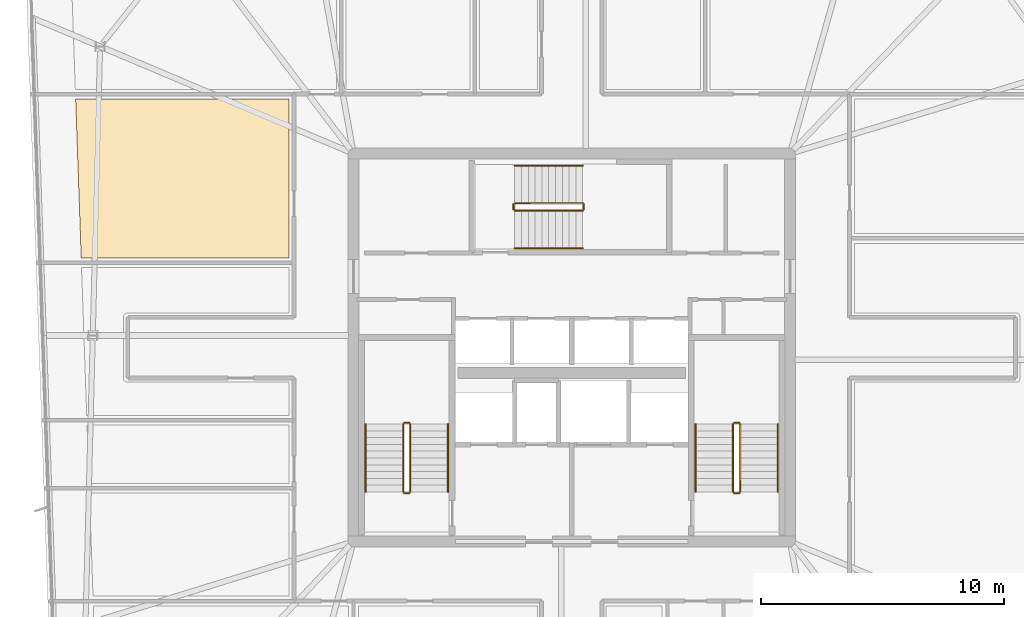
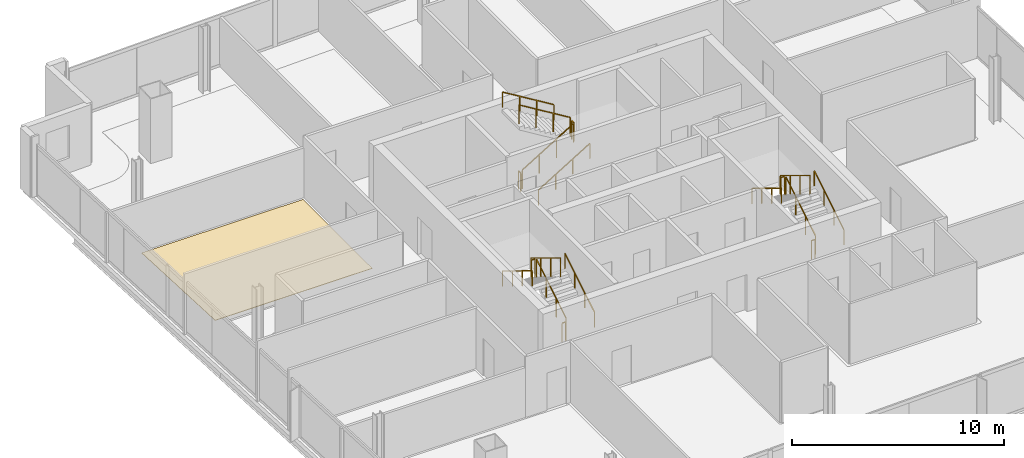
# One storey, part 22 of 23: 18 railings, 1 covering.
"""IFC4 building model written with IfcOpenShell, lengths in metres."""

import ifcopenshell
import ifcopenshell.guid

model = None  # the IFC model being written
_history = None  # IfcOwnerHistory: only IFC2X3 demands one
_inside = {}  # id of a spatial element -> (the spatial element, [elements in it])
_under = {}  # id of a project, library or spatial element -> (it, [spatial elements below it])
_declared = {}  # id of a project -> (the project, [libraries it declares])
_typed = {}  # id of a type object -> (the type object, [elements of that type])
_made_of = {}  # id of a material, layer set ... -> (it, [elements and type objects made of it])


def new_model(schema):
    """Start an empty IFC model of exactly this schema.

    Asked for "IFC4X3", IfcOpenShell would pick the latest addendum, in which some entities
    have other attributes; the version numbers below select the first issue.
    IFC2X3 requires an IfcOwnerHistory on every rooted entity: one is made here for all.
    """
    global model, _history
    if schema == "IFC4X3":
        model = ifcopenshell.file(schema_version=(4, 3, 0, 0))
    else:
        model = ifcopenshell.file(schema=schema)
    _inside.clear()
    _under.clear()
    _declared.clear()
    _typed.clear()
    _made_of.clear()
    _history = None
    if model.schema == "IFC2X3":
        org = make("IfcOrganization", Name="unknown")
        user = make(
            "IfcPersonAndOrganization",
            ThePerson=make("IfcPerson", FamilyName="unknown"),
            TheOrganization=org,
        )
        app = make(
            "IfcApplication",
            ApplicationDeveloper=org,
            Version="unknown",
            ApplicationFullName="unknown",
            ApplicationIdentifier="unknown",
        )
        _history = make(
            "IfcOwnerHistory",
            OwningUser=user,
            OwningApplication=app,
            ChangeAction="ADDED",
            CreationDate=0,
        )
    return model


def make(cls, **values):
    """One entity of the class cls with the attributes given. An attribute that is None is left unset."""
    return model.create_entity(
        cls, **{name: value for name, value in values.items() if value is not None}
    )


def rooted(cls, **values):
    """An entity with a GlobalId (a new one), such as an element, a storey or a relation."""
    return make(cls, GlobalId=ifcopenshell.guid.new(), OwnerHistory=_history, **values)


def si_unit(unit_type, name, prefix=None):
    """IfcSIUnit, for example si_unit("LENGTHUNIT", "METRE", prefix="MILLI")."""
    return make("IfcSIUnit", UnitType=unit_type, Prefix=prefix, Name=name)


def assignment(units):
    """IfcUnitAssignment: the units of a project."""
    return None if units is None else make("IfcUnitAssignment", Units=units)


def point(xyz):
    """IfcCartesianPoint."""
    return None if xyz is None else make("IfcCartesianPoint", Coordinates=xyz)


def direction(xyz):
    """IfcDirection."""
    return None if xyz is None else make("IfcDirection", DirectionRatios=xyz)


def frame(location, z_axis=None, x_axis=None):
    """IfcAxis2Placement3D, a coordinate frame: its origin and axes. An axis left out is left unset."""
    return make(
        "IfcAxis2Placement3D",
        Location=point(location),
        Axis=direction(z_axis),
        RefDirection=direction(x_axis),
    )


def frame_2d(location, x_axis=None):
    """IfcAxis2Placement2D, a coordinate frame in the plane: its origin and x axis."""
    return make(
        "IfcAxis2Placement2D", Location=point(location), RefDirection=direction(x_axis)
    )


def origin():
    """The frame at (0, 0, 0) with its axes left unset."""
    return frame((0.0, 0.0, 0.0))


def origin_2d():
    """The frame at (0, 0) in the plane with its x axis left unset."""
    return frame_2d((0.0, 0.0))


def place(relative_to, where):
    """IfcLocalPlacement: puts the frame where relative to a parent placement (None: the world)."""
    return make(
        "IfcLocalPlacement", PlacementRelTo=relative_to, RelativePlacement=where
    )


def context(
    kind, dimensions, precision=None, world=None, true_north=None, identifier=None
):
    """IfcGeometricRepresentationContext, for example the 3D "Model" context."""
    return make(
        "IfcGeometricRepresentationContext",
        ContextIdentifier=identifier,
        ContextType=kind,
        CoordinateSpaceDimension=dimensions,
        Precision=precision,
        WorldCoordinateSystem=world,
        TrueNorth=true_north,
    )


def subcontext(parent, identifier, kind, view, scale=None):
    """IfcGeometricRepresentationSubContext, for example "Body" below "Model"."""
    return make(
        "IfcGeometricRepresentationSubContext",
        ContextIdentifier=identifier,
        ContextType=kind,
        ParentContext=parent,
        TargetScale=scale,
        TargetView=view,
    )


def project(units=None, contexts=None):
    """IfcProject with its units and contexts."""
    return rooted(
        "IfcProject",
        Name="project",
        RepresentationContexts=contexts,
        UnitsInContext=assignment(units),
    )


def spatial(cls, under=None, at=None, **own):
    """A site, building, storey or space (cls), placed at a placement, below another one or the project."""
    s = rooted(cls, ObjectPlacement=at, **own)
    if under is not None:
        _under.setdefault(under.id(), (under, []))[1].append(s)
    return s


def polyline(points):
    """IfcPolyline through the points."""
    return make("IfcPolyline", Points=[point(p) for p in points])


def profile(cls, at=None, kind="AREA", **sizes):
    """A parametric profile (cls). Its sizes go by their IFC names, for example OverallWidth=200.0."""
    return make(cls, ProfileType=kind, Position=at, **sizes)


def rectangle(**sizes):
    """IfcRectangleProfileDef."""
    return profile("IfcRectangleProfileDef", **sizes)


def outline(outer, holes=None, kind="AREA"):
    """IfcArbitraryClosedProfileDef: a profile drawn as a closed curve; with holes, ...WithVoids."""
    if holes is None:
        return make("IfcArbitraryClosedProfileDef", ProfileType=kind, OuterCurve=outer)
    return make(
        "IfcArbitraryProfileDefWithVoids",
        ProfileType=kind,
        OuterCurve=outer,
        InnerCurves=holes,
    )


def extrude(swept, where, along, depth):
    """IfcExtrudedAreaSolid: the profile swept, set in the frame where, extruded along a direction by depth."""
    return make(
        "IfcExtrudedAreaSolid",
        SweptArea=swept,
        Position=where,
        ExtrudedDirection=direction(along),
        Depth=depth,
    )


def shape(context_of_items, identifier, shape_type, items):
    """IfcShapeRepresentation: the items that make up one representation, for example the "Body"."""
    return make(
        "IfcShapeRepresentation",
        ContextOfItems=context_of_items,
        RepresentationIdentifier=identifier,
        RepresentationType=shape_type,
        Items=items,
    )


def material(Name=None, Category=None):
    """IfcMaterial."""
    return make("IfcMaterial", Name=Name, Category=Category)


def layer(
    of_material, thickness, ventilated=None, Name=None, Category=None, Priority=None
):
    """IfcMaterialLayer: one layer of a wall or slab, of a material (None: an air gap)."""
    return make(
        "IfcMaterialLayer",
        Material=of_material,
        LayerThickness=thickness,
        IsVentilated=ventilated,
        Name=Name,
        Category=Category,
        Priority=Priority,
    )


def layer_set(layers, Name=None):
    """IfcMaterialLayerSet."""
    return make("IfcMaterialLayerSet", MaterialLayers=layers, LayerSetName=Name)


def made_of(thing, what):
    """Note that an element or type object is made of a material, layer set ...; save() writes the relation."""
    if what is not None:
        _made_of.setdefault(what.id(), (what, []))[1].append(thing)
    return thing


def type_object(cls, material=None, **own):
    """A type object (cls), such as IfcWallType, which elements share."""
    return made_of(rooted(cls, **own), material)


def element(
    cls,
    number,
    at=None,
    inside=None,
    cuts=None,
    type_object=None,
    material=None,
    context=None,
    identifier="Body",
    shape_type=None,
    held_by="IfcProductDefinitionShape",
    body=None,
    shapes=None,
    **own,
):
    """One element of the class cls, such as IfcWall. Its Tag is "e" and its number.

    at: its placement. inside: the storey or other place that contains it. cuts: it is an
    opening in that element (IfcRelVoidsElement). A single representation is given by context,
    identifier, shape_type and body (its items); several are given by shapes. held_by: the class
    of the entity that holds the representations. save() writes the other relations.
    """
    e = rooted(cls, Tag="e%d" % number, ObjectPlacement=at, **own)
    if body is not None:
        shapes = [shape(context, identifier, shape_type, body)]
    if shapes is not None:
        e.Representation = make(held_by, Representations=shapes)
    if inside is not None:
        _inside.setdefault(inside.id(), (inside, []))[1].append(e)
    if cuts is not None:
        rooted(
            "IfcRelVoidsElement", RelatingBuildingElement=cuts, RelatedOpeningElement=e
        )
    if type_object is not None:
        _typed.setdefault(type_object.id(), (type_object, []))[1].append(e)
    return made_of(e, material)


def aggregate(whole, parts):
    """IfcRelAggregates: a whole, such as a stair, and the parts it consists of."""
    return rooted("IfcRelAggregates", RelatingObject=whole, RelatedObjects=parts)


def save(model, path):
    """Write the relations noted so far, then the file.

    IfcRelAggregates (storeys below a building ...), IfcRelContainedInSpatialStructure (elements
    in a storey), IfcRelDefinesByType, IfcRelAssociatesMaterial and IfcRelDeclares: one each for
    every whole, place, type object, material and project.
    """
    for whole, parts in _under.values():
        aggregate(whole, parts)
    for where, things in _inside.values():
        rooted(
            "IfcRelContainedInSpatialStructure",
            RelatedElements=things,
            RelatingStructure=where,
        )
    for kind, things in _typed.values():
        rooted("IfcRelDefinesByType", RelatedObjects=things, RelatingType=kind)
    for what, things in _made_of.values():
        rooted("IfcRelAssociatesMaterial", RelatedObjects=things, RelatingMaterial=what)
    for by, libraries in _declared.values():
        rooted("IfcRelDeclares", RelatingContext=by, RelatedDefinitions=libraries)
    model.write(path)


model = new_model("IFC4")

# Units and contexts
model_context = context("Model", 3, precision=1e-05, world=origin(), true_north=direction((0.0, 1.0)))
body_context = subcontext(model_context, "Body", "Model", "MODEL_VIEW")
ifc_project = project(units=[si_unit("LENGTHUNIT", "METRE"), si_unit("AREAUNIT", "SQUARE_METRE"), si_unit("VOLUMEUNIT", "CUBIC_METRE"), si_unit("PLANEANGLEUNIT", "RADIAN"), si_unit("MASSUNIT", "GRAM", prefix="KILO")], contexts=[model_context])

# Site, building, storey
site_placement = place(None, origin())
site = spatial("IfcSite", under=ifc_project, at=site_placement, CompositionType="ELEMENT")
building_placement = place(site_placement, origin())
building = spatial("IfcBuilding", under=site, at=building_placement, Name="Haldenkirk Collegiate Tower", CompositionType="ELEMENT")
storey_placement = place(building_placement, frame((0.0, 0.0, 336.449951171875)))
storey = spatial("IfcBuildingStorey", under=building, at=storey_placement, Name="L85", CompositionType="ELEMENT", Elevation=336.449951171875)

# Covering
ifc_material_1 = material(Name="Polished collegiate terrazzo", Category="concrete")
ifc_layer = layer(ifc_material_1, 0.02490234375)
ifc_layer_set = layer_set([ifc_layer], Name="Polished collegiate terrazzo")
covering_type = type_object("IfcCoveringType", Name="COV-FLOOR-TERRAZZO", PredefinedType="FLOORING", material=ifc_layer_set)
covering_placement = place(storey_placement, origin())
element("IfcCovering", 1, at=covering_placement, inside=storey, type_object=covering_type, Name="L85 academic room finish 10", PredefinedType="FLOORING", context=body_context, shape_type="SweptSolid", body=[
    extrude(outline(polyline([(15.5498046875, 36.25), (24.35009765625, 36.25), (24.35009765625, 29.699951171875), (15.778564453125, 29.699951171875), (15.5498046875, 36.25)])), origin(), (0.0, 0.0, 1.0), 0.025146484375),
])

# Railings
ifc_material_2 = material(Name="Painted architectural tubular steel", Category="steel")
railing_type_1 = type_object("IfcRailingType", Name="RLG-STAIR-GUARD-1100", PredefinedType="BALUSTRADE", material=ifc_material_2)
railing_1_placement = place(storey_placement, frame((29.35009765625, 20.050048828125, 0.17041015625)))
element("IfcRailing", 2, at=railing_1_placement, inside=storey, type_object=railing_type_1, Name="L85 ST-1 stair guard 1", PredefinedType="BALUSTRADE", context=body_context, shape_type="SweptSolid", body=[
    extrude(rectangle(XDim=0.048095703125, YDim=0.048095703125, at=origin_2d()), frame((0.0, 0.0, 1.076171875), z_axis=(0.0, 0.854169791009, 0.51999420009), x_axis=(-1.0, 0.0, 0.0)), (0.0, 0.0, 1.0), 3.278076171875),
    extrude(rectangle(XDim=0.0419921875, YDim=0.0419921875, at=origin_2d()), origin(), (0.0, 0.0, 1.0), 1.052001953125),
    extrude(rectangle(XDim=0.0419921875, YDim=0.0419921875, at=origin_2d()), frame((0.0, 0.933349609375, 0.568115234375)), (0.0, 0.0, 1.0), 1.052001953125),
    extrude(rectangle(XDim=0.0419921875, YDim=0.0419921875, at=origin_2d()), frame((0.0, 1.86669921875, 1.136474609375)), (0.0, 0.0, 1.0), 1.052001953125),
    extrude(rectangle(XDim=0.0419921875, YDim=0.0419921875, at=origin_2d()), frame((0.0, 2.800048828125, 1.70458984375)), (0.0, 0.0, 1.0), 1.052001953125),
])
railing_2_placement = place(storey_placement, frame((29.300048828125, 22.89990234375, 1.875)))
element("IfcRailing", 3, at=railing_2_placement, inside=storey, type_object=railing_type_1, Name="L85 ST-1 stair guard 2", PredefinedType="BALUSTRADE", context=body_context, shape_type="SweptSolid", body=[
    extrude(rectangle(XDim=0.048095703125, YDim=0.048095703125, at=origin_2d()), frame((0.0, 0.0, 1.076171875), z_axis=(-1.0, 0.0, 0.0), x_axis=(0.0, -1.0, 0.0)), (0.0, 0.0, 1.0), 0.199951171875),
    extrude(rectangle(XDim=0.0419921875, YDim=0.0419921875, at=origin_2d()), origin(), (0.0, 0.0, 1.0), 1.052001953125),
    extrude(rectangle(XDim=0.0419921875, YDim=0.0419921875, at=origin_2d()), frame((-0.199951171875, 0.0, 0.0)), (0.0, 0.0, 1.0), 1.052001953125),
])
railing_3_placement = place(storey_placement, frame((29.050048828125, 22.85009765625, 2.04541015625)))
element("IfcRailing", 4, at=railing_3_placement, inside=storey, type_object=railing_type_1, Name="L85 ST-1 stair guard 3", PredefinedType="BALUSTRADE", context=body_context, shape_type="SweptSolid", body=[
    extrude(rectangle(XDim=0.048095703125, YDim=0.048095703125, at=origin_2d()), frame((0.0, 0.0, 1.076171875), z_axis=(0.0, -0.854169791009, 0.51999420009), x_axis=(1.0, 0.0, 0.0)), (0.0, 0.0, 1.0), 3.278076171875),
    extrude(rectangle(XDim=0.0419921875, YDim=0.0419921875, at=origin_2d()), origin(), (0.0, 0.0, 1.0), 1.052001953125),
    extrude(rectangle(XDim=0.0419921875, YDim=0.0419921875, at=origin_2d()), frame((0.0, -0.933349609375, 0.568115234375)), (0.0, 0.0, 1.0), 1.052001953125),
    extrude(rectangle(XDim=0.0419921875, YDim=0.0419921875, at=origin_2d()), frame((0.0, -1.86669921875, 1.136474609375)), (0.0, 0.0, 1.0), 1.052001953125),
    extrude(rectangle(XDim=0.0419921875, YDim=0.0419921875, at=origin_2d()), frame((0.0, -2.800048828125, 1.70458984375)), (0.0, 0.0, 1.0), 1.052001953125),
])
railing_4_placement = place(storey_placement, frame((29.300048828125, 20.0, 0.0)))
element("IfcRailing", 5, at=railing_4_placement, inside=storey, type_object=railing_type_1, Name="L85 ST-1 stair guard 4", PredefinedType="BALUSTRADE", context=body_context, shape_type="SweptSolid", body=[
    extrude(rectangle(XDim=0.048095703125, YDim=0.048095703125, at=origin_2d()), frame((0.0, 0.0, 1.076171875), z_axis=(-1.0, 0.0, 0.0), x_axis=(0.0, -1.0, 0.0)), (0.0, 0.0, 1.0), 0.199951171875),
    extrude(rectangle(XDim=0.0419921875, YDim=0.0419921875, at=origin_2d()), origin(), (0.0, 0.0, 1.0), 1.052001953125),
    extrude(rectangle(XDim=0.0419921875, YDim=0.0419921875, at=origin_2d()), frame((-0.199951171875, 0.0, 0.0)), (0.0, 0.0, 1.0), 1.052001953125),
])
railing_5_placement = place(storey_placement, frame((42.949951171875, 20.050048828125, 0.17041015625)))
element("IfcRailing", 6, at=railing_5_placement, inside=storey, type_object=railing_type_1, Name="L85 ST-2 stair guard 1", PredefinedType="BALUSTRADE", context=body_context, shape_type="SweptSolid", body=[
    extrude(rectangle(XDim=0.048095703125, YDim=0.048095703125, at=origin_2d()), frame((0.0, 0.0, 1.076171875), z_axis=(0.0, 0.854169791009, 0.51999420009), x_axis=(-1.0, 0.0, 0.0)), (0.0, 0.0, 1.0), 3.278076171875),
    extrude(rectangle(XDim=0.0419921875, YDim=0.0419921875, at=origin_2d()), origin(), (0.0, 0.0, 1.0), 1.052001953125),
    extrude(rectangle(XDim=0.0419921875, YDim=0.0419921875, at=origin_2d()), frame((0.0, 0.933349609375, 0.568115234375)), (0.0, 0.0, 1.0), 1.052001953125),
    extrude(rectangle(XDim=0.0419921875, YDim=0.0419921875, at=origin_2d()), frame((0.0, 1.86669921875, 1.136474609375)), (0.0, 0.0, 1.0), 1.052001953125),
    extrude(rectangle(XDim=0.0419921875, YDim=0.0419921875, at=origin_2d()), frame((0.0, 2.800048828125, 1.70458984375)), (0.0, 0.0, 1.0), 1.052001953125),
])
railing_6_placement = place(storey_placement, frame((42.89990234375, 22.89990234375, 1.875)))
element("IfcRailing", 7, at=railing_6_placement, inside=storey, type_object=railing_type_1, Name="L85 ST-2 stair guard 2", PredefinedType="BALUSTRADE", context=body_context, shape_type="SweptSolid", body=[
    extrude(rectangle(XDim=0.048095703125, YDim=0.048095703125, at=origin_2d()), frame((0.0, 0.0, 1.076171875), z_axis=(-1.0, 0.0, 0.0), x_axis=(0.0, -1.0, 0.0)), (0.0, 0.0, 1.0), 0.199951171875),
    extrude(rectangle(XDim=0.0419921875, YDim=0.0419921875, at=origin_2d()), origin(), (0.0, 0.0, 1.0), 1.052001953125),
    extrude(rectangle(XDim=0.0419921875, YDim=0.0419921875, at=origin_2d()), frame((-0.199951171875, 0.0, 0.0)), (0.0, 0.0, 1.0), 1.052001953125),
])
railing_7_placement = place(storey_placement, frame((42.64990234375, 22.85009765625, 2.04541015625)))
element("IfcRailing", 8, at=railing_7_placement, inside=storey, type_object=railing_type_1, Name="L85 ST-2 stair guard 3", PredefinedType="BALUSTRADE", context=body_context, shape_type="SweptSolid", body=[
    extrude(rectangle(XDim=0.048095703125, YDim=0.048095703125, at=origin_2d()), frame((0.0, 0.0, 1.076171875), z_axis=(0.0, -0.854169791009, 0.51999420009), x_axis=(1.0, 0.0, 0.0)), (0.0, 0.0, 1.0), 3.278076171875),
    extrude(rectangle(XDim=0.0419921875, YDim=0.0419921875, at=origin_2d()), origin(), (0.0, 0.0, 1.0), 1.052001953125),
    extrude(rectangle(XDim=0.0419921875, YDim=0.0419921875, at=origin_2d()), frame((0.0, -0.933349609375, 0.568115234375)), (0.0, 0.0, 1.0), 1.052001953125),
    extrude(rectangle(XDim=0.0419921875, YDim=0.0419921875, at=origin_2d()), frame((0.0, -1.86669921875, 1.136474609375)), (0.0, 0.0, 1.0), 1.052001953125),
    extrude(rectangle(XDim=0.0419921875, YDim=0.0419921875, at=origin_2d()), frame((0.0, -2.800048828125, 1.70458984375)), (0.0, 0.0, 1.0), 1.052001953125),
])
railing_8_placement = place(storey_placement, frame((42.89990234375, 20.0, 0.0)))
element("IfcRailing", 9, at=railing_8_placement, inside=storey, type_object=railing_type_1, Name="L85 ST-2 stair guard 4", PredefinedType="BALUSTRADE", context=body_context, shape_type="SweptSolid", body=[
    extrude(rectangle(XDim=0.048095703125, YDim=0.048095703125, at=origin_2d()), frame((0.0, 0.0, 1.076171875), z_axis=(-1.0, 0.0, 0.0), x_axis=(0.0, -1.0, 0.0)), (0.0, 0.0, 1.0), 0.199951171875),
    extrude(rectangle(XDim=0.0419921875, YDim=0.0419921875, at=origin_2d()), origin(), (0.0, 0.0, 1.0), 1.052001953125),
    extrude(rectangle(XDim=0.0419921875, YDim=0.0419921875, at=origin_2d()), frame((-0.199951171875, 0.0, 0.0)), (0.0, 0.0, 1.0), 1.052001953125),
])
railing_9_placement = place(storey_placement, frame((33.64990234375, 31.64990234375, 0.17041015625)))
element("IfcRailing", 10, at=railing_9_placement, inside=storey, type_object=railing_type_1, Name="L85 ST-3 stair guard 1", PredefinedType="BALUSTRADE", context=body_context, shape_type="SweptSolid", body=[
    extrude(rectangle(XDim=0.048095703125, YDim=0.048095703125, at=origin_2d()), frame((0.0, 0.0, 1.076171875), z_axis=(0.854169791009, 0.0, 0.51999420009), x_axis=(0.0, 1.0, 0.0)), (0.0, 0.0, 1.0), 3.278076171875),
    extrude(rectangle(XDim=0.0419921875, YDim=0.0419921875, at=origin_2d()), origin(), (0.0, 0.0, 1.0), 1.052001953125),
    extrude(rectangle(XDim=0.0419921875, YDim=0.0419921875, at=origin_2d()), frame((0.933349609375, 0.0, 0.568115234375)), (0.0, 0.0, 1.0), 1.052001953125),
    extrude(rectangle(XDim=0.0419921875, YDim=0.0419921875, at=origin_2d()), frame((1.86669921875, 0.0, 1.136474609375)), (0.0, 0.0, 1.0), 1.052001953125),
    extrude(rectangle(XDim=0.0419921875, YDim=0.0419921875, at=origin_2d()), frame((2.800048828125, 0.0, 1.70458984375)), (0.0, 0.0, 1.0), 1.052001953125),
])
railing_10_placement = place(storey_placement, frame((36.5, 31.699951171875, 1.875)))
element("IfcRailing", 11, at=railing_10_placement, inside=storey, type_object=railing_type_1, Name="L85 ST-3 stair guard 2", PredefinedType="BALUSTRADE", context=body_context, shape_type="SweptSolid", body=[
    extrude(rectangle(XDim=0.048095703125, YDim=0.048095703125, at=origin_2d()), frame((0.0, 0.0, 1.076171875), z_axis=(0.0, 1.0, 0.0), x_axis=(-1.0, 0.0, 0.0)), (0.0, 0.0, 1.0), 0.199951171875),
    extrude(rectangle(XDim=0.0419921875, YDim=0.0419921875, at=origin_2d()), origin(), (0.0, 0.0, 1.0), 1.052001953125),
    extrude(rectangle(XDim=0.0419921875, YDim=0.0419921875, at=origin_2d()), frame((0.0, 0.199951171875, 0.0)), (0.0, 0.0, 1.0), 1.052001953125),
])
railing_11_placement = place(storey_placement, frame((36.449951171875, 31.949951171875, 2.04541015625)))
element("IfcRailing", 12, at=railing_11_placement, inside=storey, type_object=railing_type_1, Name="L85 ST-3 stair guard 3", PredefinedType="BALUSTRADE", context=body_context, shape_type="SweptSolid", body=[
    extrude(rectangle(XDim=0.048095703125, YDim=0.048095703125, at=origin_2d()), frame((0.0, 0.0, 1.076171875), z_axis=(-0.854169791009, 0.0, 0.51999420009), x_axis=(0.0, -1.0, 0.0)), (0.0, 0.0, 1.0), 3.278076171875),
    extrude(rectangle(XDim=0.0419921875, YDim=0.0419921875, at=origin_2d()), origin(), (0.0, 0.0, 1.0), 1.052001953125),
    extrude(rectangle(XDim=0.0419921875, YDim=0.0419921875, at=origin_2d()), frame((-0.933349609375, 0.0, 0.568115234375)), (0.0, 0.0, 1.0), 1.052001953125),
    extrude(rectangle(XDim=0.0419921875, YDim=0.0419921875, at=origin_2d()), frame((-1.86669921875, 0.0, 1.136474609375)), (0.0, 0.0, 1.0), 1.052001953125),
    extrude(rectangle(XDim=0.0419921875, YDim=0.0419921875, at=origin_2d()), frame((-2.800048828125, 0.0, 1.70458984375)), (0.0, 0.0, 1.0), 1.052001953125),
])
railing_12_placement = place(storey_placement, frame((33.60009765625, 31.699951171875, 0.0)))
element("IfcRailing", 13, at=railing_12_placement, inside=storey, type_object=railing_type_1, Name="L85 ST-3 stair guard 4", PredefinedType="BALUSTRADE", context=body_context, shape_type="SweptSolid", body=[
    extrude(rectangle(XDim=0.048095703125, YDim=0.048095703125, at=origin_2d()), frame((0.0, 0.0, 1.076171875), z_axis=(0.0, 1.0, 0.0), x_axis=(-1.0, 0.0, 0.0)), (0.0, 0.0, 1.0), 0.199951171875),
    extrude(rectangle(XDim=0.0419921875, YDim=0.0419921875, at=origin_2d()), origin(), (0.0, 0.0, 1.0), 1.052001953125),
    extrude(rectangle(XDim=0.0419921875, YDim=0.0419921875, at=origin_2d()), frame((0.0, 0.199951171875, 0.0)), (0.0, 0.0, 1.0), 1.052001953125),
])
railing_type_2 = type_object("IfcRailingType", Name="RLG-STAIR-HANDRAIL-900", PredefinedType="HANDRAIL", material=ifc_material_2)
railing_13_placement = place(storey_placement, frame((30.89990234375, 20.050048828125, 0.17041015625)))
element("IfcRailing", 14, at=railing_13_placement, inside=storey, type_object=railing_type_2, Name="L85 ST-1 stair handrail 1", PredefinedType="HANDRAIL", context=body_context, shape_type="SweptSolid", body=[
    extrude(rectangle(XDim=0.048095703125, YDim=0.048095703125, at=origin_2d()), frame((0.0, 0.0, 0.8759765625), z_axis=(0.0, 0.854169791009, 0.51999420009), x_axis=(-1.0, 0.0, 0.0)), (0.0, 0.0, 1.0), 3.278076171875),
    extrude(rectangle(XDim=0.0419921875, YDim=0.0419921875, at=origin_2d()), origin(), (0.0, 0.0, 1.0), 0.851806640625),
    extrude(rectangle(XDim=0.0419921875, YDim=0.0419921875, at=origin_2d()), frame((0.0, 0.933349609375, 0.568115234375)), (0.0, 0.0, 1.0), 0.851806640625),
    extrude(rectangle(XDim=0.0419921875, YDim=0.0419921875, at=origin_2d()), frame((0.0, 1.86669921875, 1.136474609375)), (0.0, 0.0, 1.0), 0.851806640625),
    extrude(rectangle(XDim=0.0419921875, YDim=0.0419921875, at=origin_2d()), frame((0.0, 2.800048828125, 1.70458984375)), (0.0, 0.0, 1.0), 0.851806640625),
])
railing_14_placement = place(storey_placement, frame((27.5, 22.85009765625, 2.04541015625)))
element("IfcRailing", 15, at=railing_14_placement, inside=storey, type_object=railing_type_2, Name="L85 ST-1 stair handrail 2", PredefinedType="HANDRAIL", context=body_context, shape_type="SweptSolid", body=[
    extrude(rectangle(XDim=0.048095703125, YDim=0.048095703125, at=origin_2d()), frame((0.0, 0.0, 0.8759765625), z_axis=(0.0, -0.854169791009, 0.51999420009), x_axis=(1.0, 0.0, 0.0)), (0.0, 0.0, 1.0), 3.278076171875),
    extrude(rectangle(XDim=0.0419921875, YDim=0.0419921875, at=origin_2d()), origin(), (0.0, 0.0, 1.0), 0.851806640625),
    extrude(rectangle(XDim=0.0419921875, YDim=0.0419921875, at=origin_2d()), frame((0.0, -0.933349609375, 0.568115234375)), (0.0, 0.0, 1.0), 0.851806640625),
    extrude(rectangle(XDim=0.0419921875, YDim=0.0419921875, at=origin_2d()), frame((0.0, -1.86669921875, 1.136474609375)), (0.0, 0.0, 1.0), 0.851806640625),
    extrude(rectangle(XDim=0.0419921875, YDim=0.0419921875, at=origin_2d()), frame((0.0, -2.800048828125, 1.70458984375)), (0.0, 0.0, 1.0), 0.851806640625),
])
railing_15_placement = place(storey_placement, frame((44.5, 20.050048828125, 0.17041015625)))
element("IfcRailing", 16, at=railing_15_placement, inside=storey, type_object=railing_type_2, Name="L85 ST-2 stair handrail 1", PredefinedType="HANDRAIL", context=body_context, shape_type="SweptSolid", body=[
    extrude(rectangle(XDim=0.048095703125, YDim=0.048095703125, at=origin_2d()), frame((0.0, 0.0, 0.8759765625), z_axis=(0.0, 0.854169791009, 0.51999420009), x_axis=(-1.0, 0.0, 0.0)), (0.0, 0.0, 1.0), 3.278076171875),
    extrude(rectangle(XDim=0.0419921875, YDim=0.0419921875, at=origin_2d()), origin(), (0.0, 0.0, 1.0), 0.851806640625),
    extrude(rectangle(XDim=0.0419921875, YDim=0.0419921875, at=origin_2d()), frame((0.0, 0.933349609375, 0.568115234375)), (0.0, 0.0, 1.0), 0.851806640625),
    extrude(rectangle(XDim=0.0419921875, YDim=0.0419921875, at=origin_2d()), frame((0.0, 1.86669921875, 1.136474609375)), (0.0, 0.0, 1.0), 0.851806640625),
    extrude(rectangle(XDim=0.0419921875, YDim=0.0419921875, at=origin_2d()), frame((0.0, 2.800048828125, 1.70458984375)), (0.0, 0.0, 1.0), 0.851806640625),
])
railing_16_placement = place(storey_placement, frame((41.10009765625, 22.85009765625, 2.04541015625)))
element("IfcRailing", 17, at=railing_16_placement, inside=storey, type_object=railing_type_2, Name="L85 ST-2 stair handrail 2", PredefinedType="HANDRAIL", context=body_context, shape_type="SweptSolid", body=[
    extrude(rectangle(XDim=0.048095703125, YDim=0.048095703125, at=origin_2d()), frame((0.0, 0.0, 0.8759765625), z_axis=(0.0, -0.854169791009, 0.51999420009), x_axis=(1.0, 0.0, 0.0)), (0.0, 0.0, 1.0), 3.278076171875),
    extrude(rectangle(XDim=0.0419921875, YDim=0.0419921875, at=origin_2d()), origin(), (0.0, 0.0, 1.0), 0.851806640625),
    extrude(rectangle(XDim=0.0419921875, YDim=0.0419921875, at=origin_2d()), frame((0.0, -0.933349609375, 0.568115234375)), (0.0, 0.0, 1.0), 0.851806640625),
    extrude(rectangle(XDim=0.0419921875, YDim=0.0419921875, at=origin_2d()), frame((0.0, -1.86669921875, 1.136474609375)), (0.0, 0.0, 1.0), 0.851806640625),
    extrude(rectangle(XDim=0.0419921875, YDim=0.0419921875, at=origin_2d()), frame((0.0, -2.800048828125, 1.70458984375)), (0.0, 0.0, 1.0), 0.851806640625),
])
railing_17_placement = place(storey_placement, frame((33.64990234375, 30.10009765625, 0.17041015625)))
element("IfcRailing", 18, at=railing_17_placement, inside=storey, type_object=railing_type_2, Name="L85 ST-3 stair handrail 1", PredefinedType="HANDRAIL", context=body_context, shape_type="SweptSolid", body=[
    extrude(rectangle(XDim=0.048095703125, YDim=0.048095703125, at=origin_2d()), frame((0.0, 0.0, 0.8759765625), z_axis=(0.854169791009, 0.0, 0.51999420009), x_axis=(0.0, 1.0, 0.0)), (0.0, 0.0, 1.0), 3.278076171875),
    extrude(rectangle(XDim=0.0419921875, YDim=0.0419921875, at=origin_2d()), origin(), (0.0, 0.0, 1.0), 0.851806640625),
    extrude(rectangle(XDim=0.0419921875, YDim=0.0419921875, at=origin_2d()), frame((0.933349609375, 0.0, 0.568115234375)), (0.0, 0.0, 1.0), 0.851806640625),
    extrude(rectangle(XDim=0.0419921875, YDim=0.0419921875, at=origin_2d()), frame((1.86669921875, 0.0, 1.136474609375)), (0.0, 0.0, 1.0), 0.851806640625),
    extrude(rectangle(XDim=0.0419921875, YDim=0.0419921875, at=origin_2d()), frame((2.800048828125, 0.0, 1.70458984375)), (0.0, 0.0, 1.0), 0.851806640625),
])
railing_18_placement = place(storey_placement, frame((36.449951171875, 33.5, 2.04541015625)))
element("IfcRailing", 19, at=railing_18_placement, inside=storey, type_object=railing_type_2, Name="L85 ST-3 stair handrail 2", PredefinedType="HANDRAIL", context=body_context, shape_type="SweptSolid", body=[
    extrude(rectangle(XDim=0.048095703125, YDim=0.048095703125, at=origin_2d()), frame((0.0, 0.0, 0.8759765625), z_axis=(-0.854169791009, 0.0, 0.51999420009), x_axis=(0.0, -1.0, 0.0)), (0.0, 0.0, 1.0), 3.278076171875),
    extrude(rectangle(XDim=0.0419921875, YDim=0.0419921875, at=origin_2d()), origin(), (0.0, 0.0, 1.0), 0.851806640625),
    extrude(rectangle(XDim=0.0419921875, YDim=0.0419921875, at=origin_2d()), frame((-0.933349609375, 0.0, 0.568115234375)), (0.0, 0.0, 1.0), 0.851806640625),
    extrude(rectangle(XDim=0.0419921875, YDim=0.0419921875, at=origin_2d()), frame((-1.86669921875, 0.0, 1.136474609375)), (0.0, 0.0, 1.0), 0.851806640625),
    extrude(rectangle(XDim=0.0419921875, YDim=0.0419921875, at=origin_2d()), frame((-2.800048828125, 0.0, 1.70458984375)), (0.0, 0.0, 1.0), 0.851806640625),
])

save(model, "model.ifc")
